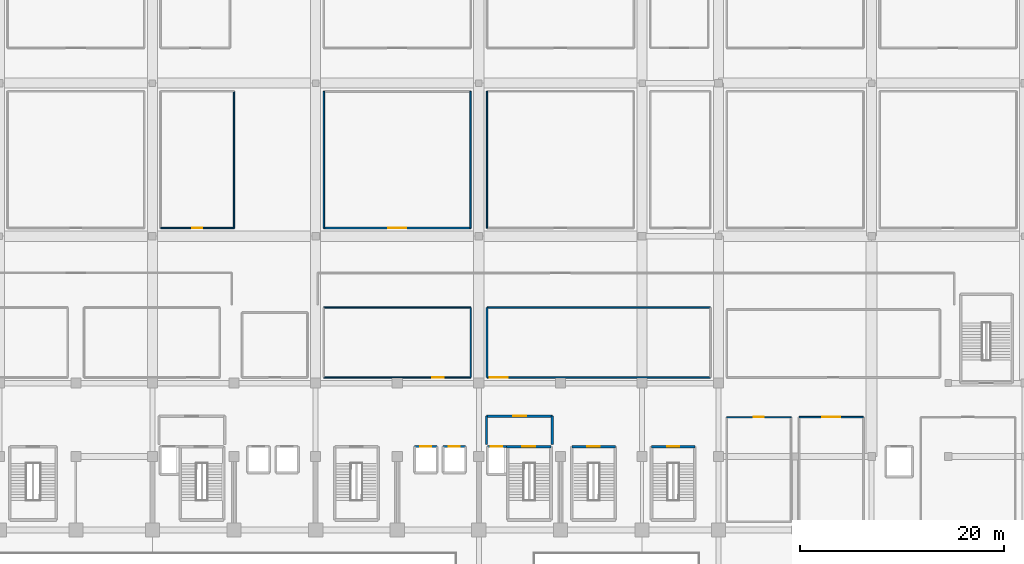
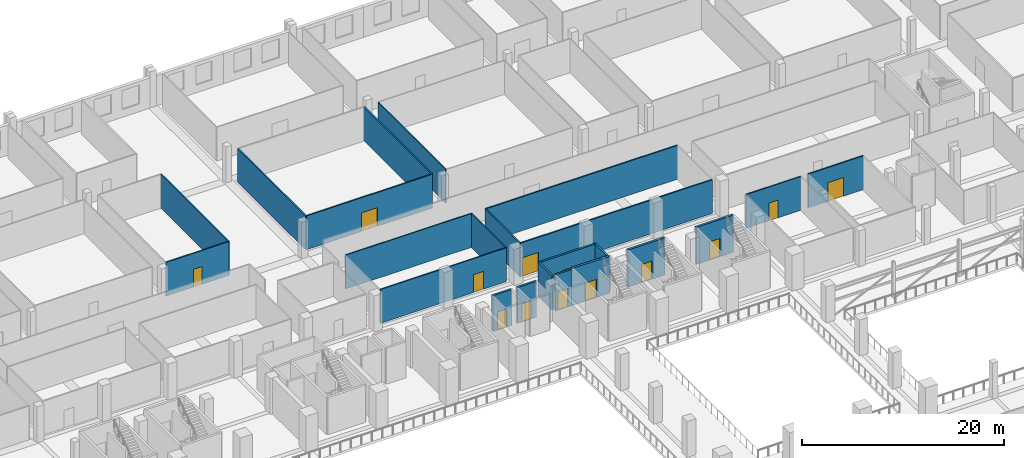
# One storey, part 47 of 64: 23 walls, 13 doors, 13 openings.
"""IFC4 building model written with IfcOpenShell, lengths in metres."""

from ifc_helpers import new_model, si_unit, direction, frame, frame_2d, origin, place, context, subcontext, project, spatial, rectangle, extrude, material, layer, layer_set, type_object, element, fill, save


model = new_model("IFC4")

# Units and contexts
model_context = context("Model", 3, precision=1e-05, world=origin(), true_north=direction((0.0, 1.0)))
body_context = subcontext(model_context, "Body", "Model", "MODEL_VIEW")
ifc_project = project(units=[si_unit("LENGTHUNIT", "METRE"), si_unit("AREAUNIT", "SQUARE_METRE"), si_unit("VOLUMEUNIT", "CUBIC_METRE"), si_unit("PLANEANGLEUNIT", "RADIAN"), si_unit("MASSUNIT", "GRAM", prefix="KILO")], contexts=[model_context])

# Site, building, storey
site_placement = place(None, origin())
site = spatial("IfcSite", under=ifc_project, at=site_placement, CompositionType="ELEMENT")
building_placement = place(site_placement, origin())
building = spatial("IfcBuilding", under=site, at=building_placement, Name="Akrevak Sports Hall", CompositionType="ELEMENT")
storey_placement = place(building_placement, frame((0.0, 0.0, 4.60009765625)))
storey = spatial("IfcBuildingStorey", under=building, at=storey_placement, Name="L01", CompositionType="ELEMENT", Elevation=4.60009765625)

# Wall
ifc_material_1 = material(Name="Sanitary Cubicle Partition", Category="gypsum")
ifc_layer_1 = layer(ifc_material_1, 0.10009765625, Name="Sanitary Cubicle Partition")
ifc_layer_set_1 = layer_set([ifc_layer_1], Name="Sanitary Cubicle Partition")
wall_type_1 = type_object("IfcWallType", Name="ARC-WL-PRT-100", PredefinedType="PARTITIONING", material=ifc_layer_set_1)
wall_1_placement = place(storey_placement, frame((92.800048828125, 84.800048828125, 0.0), z_axis=(0.0, 0.0, 1.0), x_axis=(0.0, 1.0, 0.0)))
element("IfcWall", 1, at=wall_1_placement, inside=storey, type_object=wall_type_1, Name="Interior Partition Sports Federation Training Office L01-8 (W)", PredefinedType="PARTITIONING", context=body_context, shape_type="SweptSolid", body=[
    extrude(rectangle(XDim=13.39990234375, YDim=0.10009765625, at=frame_2d((6.699951171875, 0.0))), origin(), (0.0, 0.0, 1.0), 4.079833984375),
])

# Wall, opening, door
ifc_material_2 = material(Name="Acoustic Metal Stud Partition", Category="gypsum")
ifc_layer_2 = layer(ifc_material_2, 0.1298828125, Name="Acoustic Metal Stud Partition")
ifc_layer_set_2 = layer_set([ifc_layer_2], Name="Acoustic Metal Stud Partition")
wall_type_2 = type_object("IfcWallType", Name="ARC-WL-PRT-130", PredefinedType="PARTITIONING", material=ifc_layer_set_2)
wall_2_placement = place(storey_placement, frame((76.800048828125, 70.14990234375, 0.0), z_axis=(0.0, 0.0, 1.0), x_axis=(1.0, 0.0, 0.0)))
wall_2 = element("IfcWall", 2, at=wall_2_placement, inside=storey, type_object=wall_type_2, Name="Interior Partition Changing Room 8 - Fitness Women (S)", PredefinedType="PARTITIONING", context=body_context, shape_type="SweptSolid", body=[
    extrude(rectangle(XDim=14.39990234375, YDim=0.1298828125, at=frame_2d((7.199951171875, 0.0))), origin(), (0.0, 0.0, 1.0), 4.079833984375),
])
opening_1_placement = place(wall_2_placement, frame((10.625, 0.0, 0.0)))
opening_1 = element("IfcOpeningElement", 3, at=opening_1_placement, cuts=wall_2, Name="Opening ID-07", PredefinedType="OPENING", context=body_context, shape_type="SweptSolid", body=[
    extrude(rectangle(XDim=1.14990234375, YDim=2.14990234375, at=frame_2d((0.574951171875, 1.074951171875))), frame((0.0, 0.076904296875, 0.0), z_axis=(0.0, -1.0, 0.0), x_axis=(1.0, 0.0, 0.0)), (0.0, 0.0, 1.0), 0.15380859375),
])
ifc_material_3 = material(Name="High-Pressure Laminate & Aluminium", Category="aluminium")
door_type_1 = type_object("IfcDoorType", Name="ARC-DR-CHG-115x215", OperationType="NOTDEFINED", PredefinedType="DOOR", material=ifc_material_3)
door_1_placement = place(opening_1_placement, frame((1.14990234375, 0.0, 0.0), z_axis=(0.0, 0.0, 1.0), x_axis=(-1.0, 0.0, 0.0)))
door_1 = element("IfcDoor", 4, at=door_1_placement, inside=storey, type_object=door_type_1, Name="Door to Changing Room 8 - Fitness Women", OperationType="SINGLE_SWING_RIGHT", OverallHeight=2.14990234375, OverallWidth=1.14990234375, PredefinedType="DOOR", context=body_context, shape_type="SweptSolid", body=[
    extrude(rectangle(XDim=1.14990234375, YDim=2.14990234375, at=frame_2d((0.574951171875, 1.074951171875))), frame((0.0, 0.02490234375, 0.0), z_axis=(0.0, -1.0, 0.0), x_axis=(1.0, 0.0, 0.0)), (0.0, 0.0, 1.0), 0.050048828125),
])
fill(opening_1, door_1)

# Walls
wall_3_placement = place(storey_placement, frame((76.800048828125, 77.0, 0.0), z_axis=(0.0, 0.0, 1.0), x_axis=(1.0, 0.0, 0.0)))
element("IfcWall", 5, at=wall_3_placement, inside=storey, type_object=wall_type_2, Name="Interior Partition Changing Room 8 - Fitness Women (N)", PredefinedType="PARTITIONING", context=body_context, shape_type="SweptSolid", body=[
    extrude(rectangle(XDim=14.39990234375, YDim=0.1298828125, at=frame_2d((7.199951171875, 0.0))), origin(), (0.0, 0.0, 1.0), 4.079833984375),
])
wall_4_placement = place(storey_placement, frame((91.199951171875, 70.14990234375, 0.0), z_axis=(0.0, 0.0, 1.0), x_axis=(0.0, 1.0, 0.0)))
element("IfcWall", 6, at=wall_4_placement, inside=storey, type_object=wall_type_2, Name="Interior Partition Changing Room 8 - Fitness Women (E)", PredefinedType="PARTITIONING", context=body_context, shape_type="SweptSolid", body=[
    extrude(rectangle(XDim=6.85009765625, YDim=0.1298828125, at=frame_2d((3.425048828125, 0.0))), origin(), (0.0, 0.0, 1.0), 4.079833984375),
])

# Wall, opening, door
wall_5_placement = place(storey_placement, frame((60.800048828125, 84.800048828125, 0.0), z_axis=(0.0, 0.0, 1.0), x_axis=(1.0, 0.0, 0.0)))
wall_5 = element("IfcWall", 7, at=wall_5_placement, inside=storey, type_object=wall_type_2, Name="Interior Partition Sports Clinic Recovery & Physiotherapy Room L01-6 (S)", PredefinedType="PARTITIONING", context=body_context, shape_type="SweptSolid", body=[
    extrude(rectangle(XDim=7.199951171875, YDim=0.1298828125, at=frame_2d((3.60009765625, 0.0))), origin(), (0.0, 0.0, 1.0), 4.079833984375),
])
opening_2_placement = place(wall_5_placement, frame((3.10009765625, 0.0, 0.0)))
opening_2 = element("IfcOpeningElement", 8, at=opening_2_placement, cuts=wall_5, Name="Opening ID-06", PredefinedType="OPENING", context=body_context, shape_type="SweptSolid", body=[
    extrude(rectangle(XDim=1.0, YDim=2.14990234375, at=frame_2d((0.5, 1.074951171875))), frame((0.0, 0.076904296875, 0.0), z_axis=(0.0, -1.0, 0.0), x_axis=(1.0, 0.0, 0.0)), (0.0, 0.0, 1.0), 0.15380859375),
])
ifc_material_4 = material(Name="Hardwood Oak Acoustic Leaf", Category="wood")
door_type_2 = type_object("IfcDoorType", Name="ARC-DR-OFF-100x215", OperationType="NOTDEFINED", PredefinedType="DOOR", material=ifc_material_4)
door_2_placement = place(opening_2_placement, frame((1.0, 0.0, 0.0), z_axis=(0.0, 0.0, 1.0), x_axis=(-1.0, 0.0, 0.0)))
door_2 = element("IfcDoor", 9, at=door_2_placement, inside=storey, type_object=door_type_2, Name="Door to Sports Clinic Recovery & Physiotherapy Room L01-6", OperationType="SINGLE_SWING_RIGHT", OverallHeight=2.14990234375, OverallWidth=1.0, PredefinedType="DOOR", context=body_context, shape_type="SweptSolid", body=[
    extrude(rectangle(XDim=1.0, YDim=2.14990234375, at=frame_2d((0.5, 1.074951171875))), frame((0.0, 0.02490234375, 0.0), z_axis=(0.0, -1.0, 0.0), x_axis=(1.0, 0.0, 0.0)), (0.0, 0.0, 1.0), 0.050048828125),
])
fill(opening_2, door_2)

# Wall
wall_6_placement = place(storey_placement, frame((68.0, 84.800048828125, 0.0), z_axis=(0.0, 0.0, 1.0), x_axis=(0.0, 1.0, 0.0)))
element("IfcWall", 10, at=wall_6_placement, inside=storey, type_object=wall_type_2, Name="Interior Partition Sports Clinic Recovery & Physiotherapy Room L01-6 (E)", PredefinedType="PARTITIONING", context=body_context, shape_type="SweptSolid", body=[
    extrude(rectangle(XDim=13.39990234375, YDim=0.1298828125, at=frame_2d((6.699951171875, 0.0))), origin(), (0.0, 0.0, 1.0), 4.079833984375),
])

# Wall, opening, door
wall_7_placement = place(storey_placement, frame((116.300048828125, 66.25, 0.0), z_axis=(0.0, 0.0, 1.0), x_axis=(1.0, 0.0, 0.0)))
wall_7 = element("IfcWall", 11, at=wall_7_placement, inside=storey, type_object=wall_type_2, Name="Interior Partition Scoreboard & Broadcast Office L01 (N)", PredefinedType="PARTITIONING", context=body_context, shape_type="SweptSolid", body=[
    extrude(rectangle(XDim=6.300048828125, YDim=0.1298828125, at=frame_2d((3.14990234375, 0.0))), origin(), (0.0, 0.0, 1.0), 4.079833984375),
])
opening_3_placement = place(wall_7_placement, frame((2.64990234375, 0.0, 0.0)))
opening_3 = element("IfcOpeningElement", 12, at=opening_3_placement, cuts=wall_7, Name="Opening ID-06", PredefinedType="OPENING", context=body_context, shape_type="SweptSolid", body=[
    extrude(rectangle(XDim=1.0, YDim=2.14990234375, at=frame_2d((0.5, 1.074951171875))), frame((0.0, 0.076904296875, 0.0), z_axis=(0.0, -1.0, 0.0), x_axis=(1.0, 0.0, 0.0)), (0.0, 0.0, 1.0), 0.15380859375),
])
door_3_placement = place(opening_3_placement, frame((1.0, 0.0, 0.0), z_axis=(0.0, 0.0, 1.0), x_axis=(-1.0, 0.0, 0.0)))
door_3 = element("IfcDoor", 13, at=door_3_placement, inside=storey, type_object=door_type_2, Name="Door to Scoreboard & Broadcast Office L01", OperationType="SINGLE_SWING_RIGHT", OverallHeight=2.14990234375, OverallWidth=1.0, PredefinedType="DOOR", context=body_context, shape_type="SweptSolid", body=[
    extrude(rectangle(XDim=1.0, YDim=2.14990234375, at=frame_2d((0.5, 1.074951171875))), frame((0.0, 0.02490234375, 0.0), z_axis=(0.0, -1.0, 0.0), x_axis=(1.0, 0.0, 0.0)), (0.0, 0.0, 1.0), 0.050048828125),
])
fill(opening_3, door_3)

ifc_material_5 = material(Name="Double Stud Acoustic Gypsum Partition", Category="gypsum")
ifc_layer_3 = layer(ifc_material_5, 0.14990234375, Name="Double Stud Acoustic Gypsum Partition")
ifc_layer_set_3 = layer_set([ifc_layer_3], Name="Double Stud Acoustic Gypsum Partition")
wall_type_3 = type_object("IfcWallType", Name="ARC-WL-PRT-150", PredefinedType="PARTITIONING", material=ifc_layer_set_3)
wall_8_placement = place(storey_placement, frame((76.800048828125, 84.800048828125, 0.0), z_axis=(0.0, 0.0, 1.0), x_axis=(1.0, 0.0, 0.0)))
wall_8 = element("IfcWall", 14, at=wall_8_placement, inside=storey, type_object=wall_type_3, Name="Interior Partition Athletic Gear & Equipment Storage L01-7 (S)", PredefinedType="PARTITIONING", context=body_context, shape_type="SweptSolid", body=[
    extrude(rectangle(XDim=14.39990234375, YDim=0.14990234375, at=frame_2d((7.199951171875, 0.0))), origin(), (0.0, 0.0, 1.0), 4.079833984375),
])
opening_4_placement = place(wall_8_placement, frame((6.300048828125, 0.0, 0.0)))
opening_4 = element("IfcOpeningElement", 15, at=opening_4_placement, cuts=wall_8, Name="Opening ID-02", PredefinedType="OPENING", context=body_context, shape_type="SweptSolid", body=[
    extrude(rectangle(XDim=1.800048828125, YDim=2.25, at=frame_2d((0.89990234375, 1.125))), frame((0.0, 0.0869140625, 0.0), z_axis=(0.0, -1.0, 0.0), x_axis=(1.0, 0.0, 0.0)), (0.0, 0.0, 1.0), 0.173828125),
])
ifc_material_6 = material(Name="Hardwood Oak & Safety Glass", Category="wood")
door_type_3 = type_object("IfcDoorType", Name="ARC-DR-HALL-180x225", OperationType="DOUBLE_DOOR_SINGLE_SWING", PredefinedType="DOOR", material=ifc_material_6)
door_4_placement = place(opening_4_placement, origin())
door_4 = element("IfcDoor", 16, at=door_4_placement, inside=storey, type_object=door_type_3, Name="Door to Athletic Gear & Equipment Storage L01-7", OperationType="DOUBLE_DOOR_SINGLE_SWING", OverallHeight=2.25, OverallWidth=1.800048828125, PredefinedType="DOOR", context=body_context, shape_type="SweptSolid", body=[
    extrude(rectangle(XDim=1.800048828125, YDim=2.25, at=frame_2d((0.89990234375, 1.125))), frame((0.0, 0.02490234375, 0.0), z_axis=(0.0, -1.0, 0.0), x_axis=(1.0, 0.0, 0.0)), (0.0, 0.0, 1.0), 0.050048828125),
])
fill(opening_4, door_4)

# Walls
for number, where, z_axis, x_axis, name in (
    (17, (76.800048828125, 84.800048828125, 0.0), (0.0, 0.0, 1.0), (0.0, 1.0, 0.0), "Interior Partition Athletic Gear & Equipment Storage L01-7 (W)"),
    (18, (91.199951171875, 84.800048828125, 0.0), (0.0, 0.0, 1.0), (0.0, 1.0, 0.0), "Interior Partition Athletic Gear & Equipment Storage L01-7 (E)"),
):
    element("IfcWall", number, at=place(storey_placement, frame(where, z_axis=z_axis, x_axis=x_axis)), inside=storey, type_object=wall_type_3, Name=name, PredefinedType="PARTITIONING", context=body_context, shape_type="SweptSolid", body=[
        extrude(rectangle(XDim=13.39990234375, YDim=0.14990234375, at=frame_2d((6.699951171875, 0.0))), origin(), (0.0, 0.0, 1.0), 4.079833984375),
    ])

# Wall, opening, door
wall_9_placement = place(storey_placement, frame((123.39990234375, 66.25, 0.0), z_axis=(0.0, 0.0, 1.0), x_axis=(1.0, 0.0, 0.0)))
wall_9 = element("IfcWall", 19, at=wall_9_placement, inside=storey, type_object=wall_type_3, Name="Interior Partition Upper Apparatus Storage L01 (N)", PredefinedType="PARTITIONING", context=body_context, shape_type="SweptSolid", body=[
    extrude(rectangle(XDim=6.300048828125, YDim=0.14990234375, at=frame_2d((3.14990234375, 0.0))), origin(), (0.0, 0.0, 1.0), 4.079833984375),
])
opening_5_placement = place(wall_9_placement, frame((2.25, 0.0, 0.0)))
opening_5 = element("IfcOpeningElement", 20, at=opening_5_placement, cuts=wall_9, Name="Opening ID-02", PredefinedType="OPENING", context=body_context, shape_type="SweptSolid", body=[
    extrude(rectangle(XDim=1.800048828125, YDim=2.25, at=frame_2d((0.89990234375, 1.125))), frame((0.0, 0.0869140625, 0.0), z_axis=(0.0, -1.0, 0.0), x_axis=(1.0, 0.0, 0.0)), (0.0, 0.0, 1.0), 0.173828125),
])
door_5_placement = place(opening_5_placement, origin())
door_5 = element("IfcDoor", 21, at=door_5_placement, inside=storey, type_object=door_type_3, Name="Door to Upper Apparatus Storage L01", OperationType="DOUBLE_DOOR_SINGLE_SWING", OverallHeight=2.25, OverallWidth=1.800048828125, PredefinedType="DOOR", context=body_context, shape_type="SweptSolid", body=[
    extrude(rectangle(XDim=1.800048828125, YDim=2.25, at=frame_2d((0.89990234375, 1.125))), frame((0.0, 0.02490234375, 0.0), z_axis=(0.0, -1.0, 0.0), x_axis=(1.0, 0.0, 0.0)), (0.0, 0.0, 1.0), 0.050048828125),
])
fill(opening_5, door_5)

wall_10_placement = place(storey_placement, frame((92.800048828125, 70.14990234375, 0.0), z_axis=(0.0, 0.0, 1.0), x_axis=(1.0, 0.0, 0.0)))
wall_10 = element("IfcWall", 22, at=wall_10_placement, inside=storey, type_object=wall_type_3, Name="Interior Partition Athletic Training Equipment Storage L01 (S)", PredefinedType="PARTITIONING", context=body_context, shape_type="SweptSolid", body=[
    extrude(rectangle(XDim=21.89990234375, YDim=0.14990234375, at=frame_2d((10.949951171875, 0.0))), origin(), (0.0, 0.0, 1.0), 4.079833984375),
])
opening_6_placement = place(wall_10_placement, frame((0.25, 0.0, 0.0)))
opening_6 = element("IfcOpeningElement", 23, at=opening_6_placement, cuts=wall_10, Name="Opening ID-02", PredefinedType="OPENING", context=body_context, shape_type="SweptSolid", body=[
    extrude(rectangle(XDim=1.800048828125, YDim=2.25, at=frame_2d((0.89990234375, 1.125))), frame((0.0, 0.0869140625, 0.0), z_axis=(0.0, -1.0, 0.0), x_axis=(1.0, 0.0, 0.0)), (0.0, 0.0, 1.0), 0.173828125),
])
door_6_placement = place(opening_6_placement, origin())
door_6 = element("IfcDoor", 24, at=door_6_placement, inside=storey, type_object=door_type_3, Name="Door to Athletic Training Equipment Storage L01", OperationType="DOUBLE_DOOR_SINGLE_SWING", OverallHeight=2.25, OverallWidth=1.800048828125, PredefinedType="DOOR", context=body_context, shape_type="SweptSolid", body=[
    extrude(rectangle(XDim=1.800048828125, YDim=2.25, at=frame_2d((0.89990234375, 1.125))), frame((0.0, 0.02490234375, 0.0), z_axis=(0.0, -1.0, 0.0), x_axis=(1.0, 0.0, 0.0)), (0.0, 0.0, 1.0), 0.050048828125),
])
fill(opening_6, door_6)

# Walls
wall_11_placement = place(storey_placement, frame((92.800048828125, 77.0, 0.0), z_axis=(0.0, 0.0, 1.0), x_axis=(1.0, 0.0, 0.0)))
element("IfcWall", 25, at=wall_11_placement, inside=storey, type_object=wall_type_3, Name="Interior Partition Athletic Training Equipment Storage L01 (N)", PredefinedType="PARTITIONING", context=body_context, shape_type="SweptSolid", body=[
    extrude(rectangle(XDim=21.89990234375, YDim=0.14990234375, at=frame_2d((10.949951171875, 0.0))), origin(), (0.0, 0.0, 1.0), 4.079833984375),
])
wall_12_placement = place(storey_placement, frame((92.800048828125, 70.14990234375, 0.0), z_axis=(0.0, 0.0, 1.0), x_axis=(0.0, 1.0, 0.0)))
element("IfcWall", 26, at=wall_12_placement, inside=storey, type_object=wall_type_3, Name="Interior Partition Athletic Training Equipment Storage L01 (W)", PredefinedType="PARTITIONING", context=body_context, shape_type="SweptSolid", body=[
    extrude(rectangle(XDim=6.85009765625, YDim=0.14990234375, at=frame_2d((3.425048828125, 0.0))), origin(), (0.0, 0.0, 1.0), 4.079833984375),
])

# Wall, opening, door
ifc_material_7 = material(Name="Concrete C40/50", Category="concrete")
ifc_layer_4 = layer(ifc_material_7, 0.219970703125, Name="Concrete C40/50")
ifc_layer_set_4 = layer_set([ifc_layer_4], Name="Concrete C40/50")
wall_type_4 = type_object("IfcWallType", Name="ARC-WL-PRT-220", PredefinedType="PARTITIONING", material=ifc_layer_set_4)
wall_13_placement = place(storey_placement, frame((92.75, 66.35009765625, 0.0), z_axis=(0.0, 0.0, 1.0), x_axis=(1.0, 0.0, 0.0)))
wall_13 = element("IfcWall", 27, at=wall_13_placement, inside=storey, type_object=wall_type_4, Name="Interior Partition Firefighting Lobby East L01 (N)", PredefinedType="PARTITIONING", context=body_context, shape_type="SweptSolid", body=[
    extrude(rectangle(XDim=6.449951171875, YDim=0.219970703125, at=frame_2d((3.22509765625, 0.0))), origin(), (0.0, 0.0, 1.0), 4.079833984375),
])
opening_7_placement = place(wall_13_placement, frame((2.625, 0.0, 0.0)))
opening_7 = element("IfcOpeningElement", 28, at=opening_7_placement, cuts=wall_13, Name="Opening FD-01", PredefinedType="OPENING", context=body_context, shape_type="SweptSolid", body=[
    extrude(rectangle(XDim=1.25, YDim=2.199951171875, at=frame_2d((0.625, 1.10009765625))), frame((0.0, 0.1220703125, 0.0), z_axis=(0.0, -1.0, 0.0), x_axis=(1.0, 0.0, 0.0)), (0.0, 0.0, 1.0), 0.243896484375),
])
ifc_material_8 = material(Name="Fire-Rated Galvanized Door Steel", Category="steel")
door_type_4 = type_object("IfcDoorType", Name="ARC-DR-FFL-125x220", OperationType="NOTDEFINED", PredefinedType="DOOR", material=ifc_material_8)
door_7_placement = place(opening_7_placement, frame((1.25, 0.0, 0.0), z_axis=(0.0, 0.0, 1.0), x_axis=(-1.0, 0.0, 0.0)))
door_7 = element("IfcDoor", 29, at=door_7_placement, inside=storey, type_object=door_type_4, Name="Door to Firefighting Lobby East L01", OperationType="SINGLE_SWING_RIGHT", OverallHeight=2.199951171875, OverallWidth=1.25, PredefinedType="DOOR", context=body_context, shape_type="SweptSolid", body=[
    extrude(rectangle(XDim=1.25, YDim=2.199951171875, at=frame_2d((0.625, 1.10009765625))), frame((0.0, 0.02490234375, 0.0), z_axis=(0.0, -1.0, 0.0), x_axis=(1.0, 0.0, 0.0)), (0.0, 0.0, 1.0), 0.050048828125),
])
fill(opening_7, door_7)

# Walls
for number, where, z_axis, x_axis, name in (
    (30, (92.75, 63.60009765625, 0.0), (0.0, 0.0, 1.0), (0.0, 1.0, 0.0), "Interior Partition Firefighting Lobby East L01 (W)"),
    (31, (99.199951171875, 63.60009765625, 0.0), (0.0, 0.0, 1.0), (0.0, 1.0, 0.0), "Interior Partition Firefighting Lobby East L01 (E)"),
):
    element("IfcWall", number, at=place(storey_placement, frame(where, z_axis=z_axis, x_axis=x_axis)), inside=storey, type_object=wall_type_4, Name=name, PredefinedType="PARTITIONING", context=body_context, shape_type="SweptSolid", body=[
        extrude(rectangle(XDim=2.75, YDim=0.219970703125, at=frame_2d((1.375, 0.0))), origin(), (0.0, 0.0, 1.0), 4.079833984375),
    ])

# Wall, opening, door
ifc_material_9 = material(Name="Concrete C50/60", Category="concrete")
ifc_layer_5 = layer(ifc_material_9, 0.219970703125, Name="Concrete C50/60")
ifc_layer_set_5 = layer_set([ifc_layer_5], Name="Concrete C50/60")
wall_type_5 = type_object("IfcWallType", Name="ARC-WL-SHAFT-220", PredefinedType="SHEAR", material=ifc_layer_set_5)
wall_14_placement = place(storey_placement, frame((94.699951171875, 63.389892578125, 0.0), z_axis=(0.0, 0.0, 1.0), x_axis=(-1.0, 0.0, 0.0)))
wall_14 = element("IfcWall", 32, at=wall_14_placement, inside=storey, type_object=wall_type_5, Name="Lift Shaft LF-FF2 Wall N (L01)", PredefinedType="SHEAR", context=body_context, shape_type="SweptSolid", body=[
    extrude(rectangle(XDim=1.83984375, YDim=0.219970703125, at=frame_2d((0.919921875, 0.0))), origin(), (0.0, 0.0, 1.0), 4.349853515625),
])
opening_8_placement = place(wall_14_placement, frame((0.425048828125, 0.0, 0.0)))
opening_8 = element("IfcOpeningElement", 33, at=opening_8_placement, cuts=wall_14, Name="Opening LD-01", PredefinedType="OPENING", context=body_context, shape_type="SweptSolid", body=[
    extrude(rectangle(XDim=1.10009765625, YDim=2.199951171875, at=frame_2d((0.550048828125, 1.10009765625))), frame((0.0, 0.1220703125, 0.0), z_axis=(0.0, -1.0, 0.0), x_axis=(1.0, 0.0, 0.0)), (0.0, 0.0, 1.0), 0.243896484375),
])
ifc_material_10 = material(Name="Brushed Stainless Steel 304", Category="steel")
door_type_5 = type_object("IfcDoorType", Name="ARC-DR-LD-110x220", OperationType="SLIDING_TO_LEFT", PredefinedType="DOOR", material=ifc_material_10)
door_8_placement = place(opening_8_placement, origin())
door_8 = element("IfcDoor", 34, at=door_8_placement, inside=storey, type_object=door_type_5, Name="Lift LF-FF2 Sliding Landing Door (L01)", OperationType="SLIDING_TO_RIGHT", OverallHeight=2.199951171875, OverallWidth=1.10009765625, PredefinedType="DOOR", context=body_context, shape_type="SweptSolid", body=[
    extrude(rectangle(XDim=1.10009765625, YDim=2.199951171875, at=frame_2d((0.550048828125, 1.10009765625))), frame((0.0, 0.02490234375, 0.0), z_axis=(0.0, -1.0, 0.0), x_axis=(1.0, 0.0, 0.0)), (0.0, 0.0, 1.0), 0.050048828125),
])
fill(opening_8, door_8)

wall_15_placement = place(storey_placement, frame((87.889892578125, 63.389892578125, 0.0), z_axis=(0.0, 0.0, 1.0), x_axis=(-1.0, 0.0, 0.0)))
wall_15 = element("IfcWall", 35, at=wall_15_placement, inside=storey, type_object=wall_type_5, Name="Lift Shaft LF-P3 Wall N (L01)", PredefinedType="SHEAR", context=body_context, shape_type="SweptSolid", body=[
    extrude(rectangle(XDim=2.179931640625, YDim=0.219970703125, at=frame_2d((1.08984375, 0.0))), origin(), (0.0, 0.0, 1.0), 4.349853515625),
])
opening_9_placement = place(wall_15_placement, frame((0.5400390625, 0.0, 0.0)))
opening_9 = element("IfcOpeningElement", 36, at=opening_9_placement, cuts=wall_15, Name="Opening LD-01", PredefinedType="OPENING", context=body_context, shape_type="SweptSolid", body=[
    extrude(rectangle(XDim=1.10009765625, YDim=2.199951171875, at=frame_2d((0.550048828125, 1.10009765625))), frame((0.0, 0.1220703125, 0.0), z_axis=(0.0, -1.0, 0.0), x_axis=(1.0, 0.0, 0.0)), (0.0, 0.0, 1.0), 0.243896484375),
])
door_9_placement = place(opening_9_placement, origin())
door_9 = element("IfcDoor", 37, at=door_9_placement, inside=storey, type_object=door_type_5, Name="Lift LF-P3 Sliding Landing Door (L01)", OperationType="SLIDING_TO_RIGHT", OverallHeight=2.199951171875, OverallWidth=1.10009765625, PredefinedType="DOOR", context=body_context, shape_type="SweptSolid", body=[
    extrude(rectangle(XDim=1.10009765625, YDim=2.199951171875, at=frame_2d((0.550048828125, 1.10009765625))), frame((0.0, 0.02490234375, 0.0), z_axis=(0.0, -1.0, 0.0), x_axis=(1.0, 0.0, 0.0)), (0.0, 0.0, 1.0), 0.050048828125),
])
fill(opening_9, door_9)

wall_16_placement = place(storey_placement, frame((90.68994140625, 63.389892578125, 0.0), z_axis=(0.0, 0.0, 1.0), x_axis=(-1.0, 0.0, 0.0)))
wall_16 = element("IfcWall", 38, at=wall_16_placement, inside=storey, type_object=wall_type_5, Name="Lift Shaft LF-P4 Wall N (L01)", PredefinedType="SHEAR", context=body_context, shape_type="SweptSolid", body=[
    extrude(rectangle(XDim=2.179931640625, YDim=0.219970703125, at=frame_2d((1.08984375, 0.0))), origin(), (0.0, 0.0, 1.0), 4.349853515625),
])
opening_10_placement = place(wall_16_placement, frame((0.5400390625, 0.0, 0.0)))
opening_10 = element("IfcOpeningElement", 39, at=opening_10_placement, cuts=wall_16, Name="Opening LD-01", PredefinedType="OPENING", context=body_context, shape_type="SweptSolid", body=[
    extrude(rectangle(XDim=1.10009765625, YDim=2.199951171875, at=frame_2d((0.550048828125, 1.10009765625))), frame((0.0, 0.1220703125, 0.0), z_axis=(0.0, -1.0, 0.0), x_axis=(1.0, 0.0, 0.0)), (0.0, 0.0, 1.0), 0.243896484375),
])
door_10_placement = place(opening_10_placement, origin())
door_10 = element("IfcDoor", 40, at=door_10_placement, inside=storey, type_object=door_type_5, Name="Lift LF-P4 Sliding Landing Door (L01)", OperationType="SLIDING_TO_RIGHT", OverallHeight=2.199951171875, OverallWidth=1.10009765625, PredefinedType="DOOR", context=body_context, shape_type="SweptSolid", body=[
    extrude(rectangle(XDim=1.10009765625, YDim=2.199951171875, at=frame_2d((0.550048828125, 1.10009765625))), frame((0.0, 0.02490234375, 0.0), z_axis=(0.0, -1.0, 0.0), x_axis=(1.0, 0.0, 0.0)), (0.0, 0.0, 1.0), 0.050048828125),
])
fill(opening_10, door_10)

ifc_layer_6 = layer(ifc_material_9, 0.25, Name="Concrete C50/60")
ifc_layer_set_6 = layer_set([ifc_layer_6], Name="Concrete C50/60")
wall_type_6 = type_object("IfcWallType", Name="STR-WL-STAIR-250", PredefinedType="SHEAR", material=ifc_layer_set_6)
wall_17_placement = place(storey_placement, frame((99.074951171875, 63.375, 0.0), z_axis=(0.0, 0.0, 1.0), x_axis=(-1.0, 0.0, 0.0)))
wall_17 = element("IfcWall", 41, at=wall_17_placement, inside=storey, type_object=wall_type_6, Name="Stair Core ST2 Shear Wall N (L01)", PredefinedType="SHEAR", context=body_context, shape_type="SweptSolid", body=[
    extrude(rectangle(XDim=4.375, YDim=0.25, at=frame_2d((2.1875, 0.0))), origin(), (0.0, 0.0, 1.0), 4.47998046875),
])
opening_11_placement = place(wall_17_placement, frame((1.53759765625, 0.0, 0.0)))
opening_11 = element("IfcOpeningElement", 42, at=opening_11_placement, cuts=wall_17, Name="Opening SD-01", PredefinedType="OPENING", context=body_context, shape_type="SweptSolid", body=[
    extrude(rectangle(XDim=1.300048828125, YDim=2.199951171875, at=frame_2d((0.64990234375, 1.10009765625))), frame((0.0, 0.136962890625, 0.0), z_axis=(0.0, -1.0, 0.0), x_axis=(1.0, 0.0, 0.0)), (0.0, 0.0, 1.0), 0.27392578125),
])
door_type_6 = type_object("IfcDoorType", Name="ARC-DR-STAIR-130x220", OperationType="NOTDEFINED", PredefinedType="DOOR", material=ifc_material_8)
door_11_placement = place(opening_11_placement, origin())
door_11 = element("IfcDoor", 43, at=door_11_placement, inside=storey, type_object=door_type_6, Name="Exit Stair ST2 Door (L01)", OperationType="SINGLE_SWING_RIGHT", OverallHeight=2.199951171875, OverallWidth=1.300048828125, PredefinedType="DOOR", context=body_context, shape_type="SweptSolid", body=[
    extrude(rectangle(XDim=1.300048828125, YDim=2.199951171875, at=frame_2d((0.64990234375, 1.10009765625))), frame((0.0, 0.02490234375, 0.0), z_axis=(0.0, -1.0, 0.0), x_axis=(1.0, 0.0, 0.0)), (0.0, 0.0, 1.0), 0.050048828125),
])
fill(opening_11, door_11)

wall_18_placement = place(storey_placement, frame((105.375, 63.375, 0.0), z_axis=(0.0, 0.0, 1.0), x_axis=(-1.0, 0.0, 0.0)))
wall_18 = element("IfcWall", 44, at=wall_18_placement, inside=storey, type_object=wall_type_6, Name="Stair Core ST10 Shear Wall N (L01)", PredefinedType="SHEAR", context=body_context, shape_type="SweptSolid", body=[
    extrude(rectangle(XDim=4.25, YDim=0.25, at=frame_2d((2.125, 0.0))), origin(), (0.0, 0.0, 1.0), 4.47998046875),
])
opening_12_placement = place(wall_18_placement, frame((1.52490234375, 0.0, 0.0)))
opening_12 = element("IfcOpeningElement", 45, at=opening_12_placement, cuts=wall_18, Name="Opening SD-02", PredefinedType="OPENING", context=body_context, shape_type="SweptSolid", body=[
    extrude(rectangle(XDim=1.199951171875, YDim=2.199951171875, at=frame_2d((0.60009765625, 1.10009765625))), frame((0.0, 0.136962890625, 0.0), z_axis=(0.0, -1.0, 0.0), x_axis=(1.0, 0.0, 0.0)), (0.0, 0.0, 1.0), 0.27392578125),
])
door_type_7 = type_object("IfcDoorType", Name="ARC-DR-STAIR-120x220", OperationType="NOTDEFINED", PredefinedType="DOOR", material=ifc_material_8)
door_12_placement = place(opening_12_placement, origin())
door_12 = element("IfcDoor", 46, at=door_12_placement, inside=storey, type_object=door_type_7, Name="Exit Stair ST10 Door (L01)", OperationType="SINGLE_SWING_RIGHT", OverallHeight=2.199951171875, OverallWidth=1.199951171875, PredefinedType="DOOR", context=body_context, shape_type="SweptSolid", body=[
    extrude(rectangle(XDim=1.199951171875, YDim=2.199951171875, at=frame_2d((0.60009765625, 1.10009765625))), frame((0.0, 0.02490234375, 0.0), z_axis=(0.0, -1.0, 0.0), x_axis=(1.0, 0.0, 0.0)), (0.0, 0.0, 1.0), 0.050048828125),
])
fill(opening_12, door_12)

wall_19_placement = place(storey_placement, frame((113.175048828125, 63.375, 0.0), z_axis=(0.0, 0.0, 1.0), x_axis=(-1.0, 0.0, 0.0)))
wall_19 = element("IfcWall", 47, at=wall_19_placement, inside=storey, type_object=wall_type_6, Name="Stair Core ST11 Shear Wall N (L01)", PredefinedType="SHEAR", context=body_context, shape_type="SweptSolid", body=[
    extrude(rectangle(XDim=4.25, YDim=0.25, at=frame_2d((2.125, 0.0))), origin(), (0.0, 0.0, 1.0), 4.47998046875),
])
opening_13_placement = place(wall_19_placement, frame((1.52490234375, 0.0, 0.0)))
opening_13 = element("IfcOpeningElement", 48, at=opening_13_placement, cuts=wall_19, Name="Opening SD-02", PredefinedType="OPENING", context=body_context, shape_type="SweptSolid", body=[
    extrude(rectangle(XDim=1.199951171875, YDim=2.199951171875, at=frame_2d((0.60009765625, 1.10009765625))), frame((0.0, 0.136962890625, 0.0), z_axis=(0.0, -1.0, 0.0), x_axis=(1.0, 0.0, 0.0)), (0.0, 0.0, 1.0), 0.27392578125),
])
door_13_placement = place(opening_13_placement, origin())
door_13 = element("IfcDoor", 49, at=door_13_placement, inside=storey, type_object=door_type_7, Name="Exit Stair ST11 Door (L01)", OperationType="SINGLE_SWING_LEFT", OverallHeight=2.199951171875, OverallWidth=1.199951171875, PredefinedType="DOOR", context=body_context, shape_type="SweptSolid", body=[
    extrude(rectangle(XDim=1.199951171875, YDim=2.199951171875, at=frame_2d((0.60009765625, 1.10009765625))), frame((0.0, 0.02490234375, 0.0), z_axis=(0.0, -1.0, 0.0), x_axis=(1.0, 0.0, 0.0)), (0.0, 0.0, 1.0), 0.050048828125),
])
fill(opening_13, door_13)

save(model, "model.ifc")
